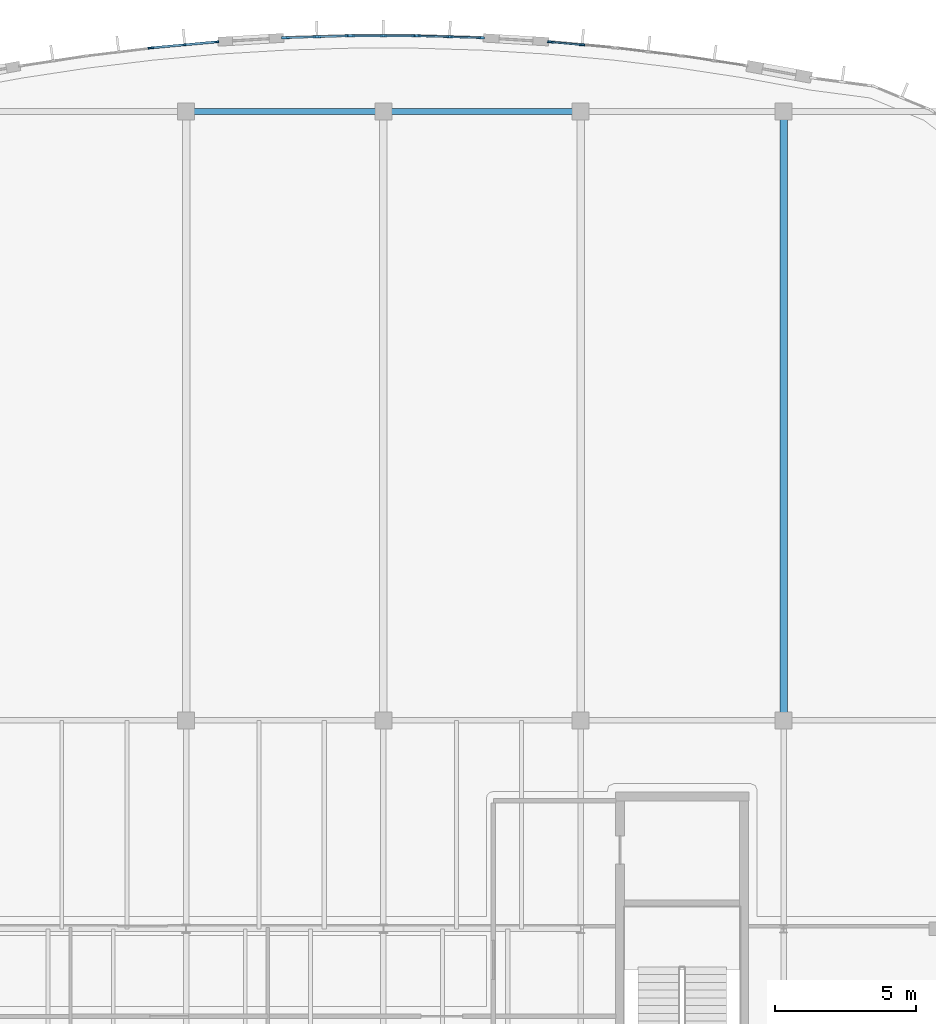
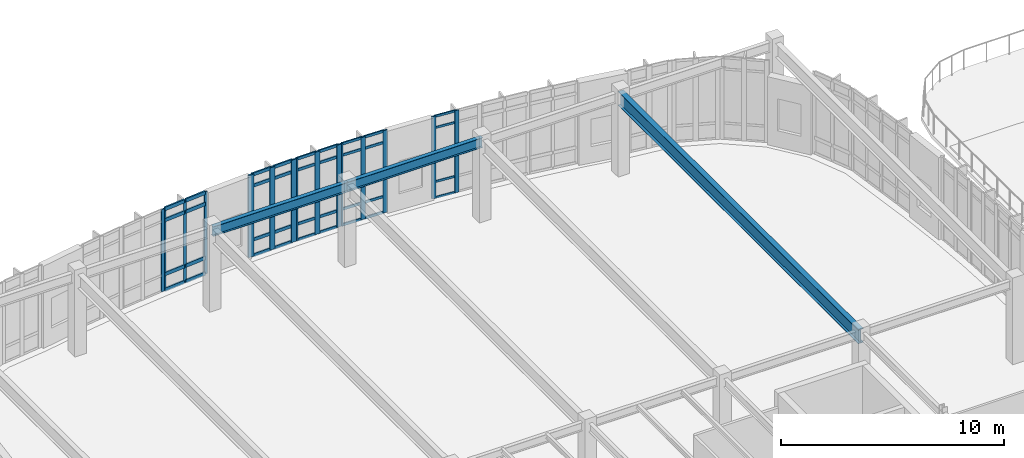
# One storey, part 47 of 120: 51 members, 3 beams, 6 elements without a shape of their own.
"""IFC4 building model written with IfcOpenShell, lengths in metres."""

from ifc_helpers import new_model, si_unit, direction, frame, origin, origin_2d, place, context, subcontext, project, spatial, rectangle, i_section, extrude, material, material_profile, profile_set, type_object, element, aggregate, save


model = new_model("IFC4")

# Units and contexts
model_context = context("Model", 3, precision=1e-05, world=origin(), true_north=direction((0.0, 1.0)))
body_context = subcontext(model_context, "Body", "Model", "MODEL_VIEW")
ifc_project = project(units=[si_unit("LENGTHUNIT", "METRE"), si_unit("AREAUNIT", "SQUARE_METRE"), si_unit("VOLUMEUNIT", "CUBIC_METRE"), si_unit("PLANEANGLEUNIT", "RADIAN"), si_unit("MASSUNIT", "GRAM", prefix="KILO")], contexts=[model_context])

# Site, building, storey
site_placement = place(None, origin())
site = spatial("IfcSite", under=ifc_project, at=site_placement, CompositionType="ELEMENT")
building_placement = place(site_placement, origin())
building = spatial("IfcBuilding", under=site, at=building_placement, Name="Corveleigh Park Community Centre", CompositionType="ELEMENT")
storey_placement = place(building_placement, origin())
storey = spatial("IfcBuildingStorey", under=building, at=storey_placement, Name="L00", CompositionType="ELEMENT", Elevation=0.0)

# Beams
ifc_material_1 = material(Name="Steel S355", Category="steel")
ifc_material_profile_1 = material_profile(ifc_material_1, i_section(OverallWidth=0.2099609375, OverallDepth=0.53662109375, WebThickness=0.0107421875, FlangeThickness=0.017333984375, at=origin_2d()), Name="UKB 533x210x101", Category="steel")
ifc_profile_set_1 = profile_set([ifc_material_profile_1], Name="Steel S355")
beam_type_1 = type_object("IfcBeamType", Name="BM-STL-UKB533x101", PredefinedType="BEAM", material=ifc_profile_set_1)
for number, where, z_axis, x_axis, name in (
    (1, (25.205078125, 114.39990234375, 4.24365234375), (1.0, 0.0, 0.0), (0.0, 1.0, 0.0), "V2 North Hall Girder"),
    (2, (32.205078125, 114.39990234375, 4.24365234375), (1.0, 0.0, 0.0), (0.0, 1.0, 0.0), "V2 North Hall Girder"),
):
    element("IfcBeam", number, at=place(storey_placement, frame(where, z_axis=z_axis, x_axis=x_axis)), inside=storey, type_object=beam_type_1, Name=name, PredefinedType="BEAM", context=body_context, shape_type="SweptSolid", body=[
        extrude(i_section(OverallWidth=0.2099609375, OverallDepth=0.53662109375, WebThickness=0.0107421875, FlangeThickness=0.017333984375, at=origin_2d()), origin(), (0.0, 0.0, 1.0), 6.989990234375),
    ])
ifc_material_profile_2 = material_profile(ifc_material_1, i_section(OverallWidth=0.2666015625, OverallDepth=0.76220703125, WebThickness=0.014404296875, FlangeThickness=0.021484375, at=origin_2d()), Name="UKB 762x267x173", Category="steel")
ifc_profile_set_2 = profile_set([ifc_material_profile_2], Name="Steel S355")
beam_type_2 = type_object("IfcBeamType", Name="BM-STL-UKB762x173", PredefinedType="BEAM", material=ifc_profile_set_2)
beam_placement = place(storey_placement, frame((46.39990234375, 92.804931640625, 4.130859375), z_axis=(0.0, 1.0, 0.0), x_axis=(-1.0, 0.0, 0.0)))
element("IfcBeam", 3, at=beam_placement, inside=storey, type_object=beam_type_2, Name="V2 Hall Floor Girder", PredefinedType="BEAM", context=body_context, shape_type="SweptSolid", body=[
    extrude(i_section(OverallWidth=0.2666015625, OverallDepth=0.76220703125, WebThickness=0.014404296875, FlangeThickness=0.021484375, at=origin_2d()), origin(), (0.0, 0.0, 1.0), 21.590087890625),
])

# Curtain wall, members
ifc_material_2 = material(Name="Anodised aluminium 6063-T6", Category="aluminium")
curtain_wall_type = type_object("IfcCurtainWallType", Name="CW-SYS-V2-L00", PredefinedType="NOTDEFINED", material=ifc_material_2)
curtain_wall_1_placement = place(storey_placement, origin())
curtain_wall_1 = element("IfcCurtainWall", 4, at=curtain_wall_1_placement, inside=storey, type_object=curtain_wall_type, Name="V2 L00 Curtain Wall 55", PredefinedType="NOTDEFINED")
ifc_material_profile_3 = material_profile(ifc_material_2, rectangle(XDim=0.06005859375, YDim=0.159912109375, at=origin_2d()), Name="ALU-M60x160", Category="aluminium")
ifc_profile_set_3 = profile_set([ifc_material_profile_3], Name="Anodised aluminium 6063-T6")
member_type_1 = type_object("IfcMemberType", Name="CWM-60x160", PredefinedType="MULLION", material=ifc_profile_set_3)
member_1_placement = place(storey_placement, frame((24.016845703125, 116.666748046875, 0.0), z_axis=(0.0, 0.0, 1.0), x_axis=(-0.090767364607, 0.995872123077, 0.0)))
member_1 = element("IfcMember", 5, at=member_1_placement, type_object=member_type_1, Name="CW03 mullion 1", PredefinedType="MULLION", context=body_context, shape_type="SweptSolid", body=[
    extrude(rectangle(XDim=0.06005859375, YDim=0.159912109375, at=origin_2d()), origin(), (0.0, 0.0, 1.0), 4.511962890625),
])
member_2_placement = place(storey_placement, frame((25.14990234375, 116.77001953125, 0.0), z_axis=(0.0, 0.0, 1.0), x_axis=(-0.090767364607, 0.995872123077, 0.0)))
member_2 = element("IfcMember", 6, at=member_2_placement, type_object=member_type_1, Name="CW03 mullion 2", PredefinedType="MULLION", context=body_context, shape_type="SweptSolid", body=[
    extrude(rectangle(XDim=0.06005859375, YDim=0.159912109375, at=origin_2d()), origin(), (0.0, 0.0, 1.0), 4.511962890625),
])
member_3_placement = place(storey_placement, frame((26.283203125, 116.873291015625, 0.0), z_axis=(0.0, 0.0, 1.0), x_axis=(-0.090767364607, 0.995872123077, 0.0)))
member_3 = element("IfcMember", 7, at=member_3_placement, type_object=member_type_1, Name="CW03 mullion 3", PredefinedType="MULLION", context=body_context, shape_type="SweptSolid", body=[
    extrude(rectangle(XDim=0.06005859375, YDim=0.159912109375, at=origin_2d()), origin(), (0.0, 0.0, 1.0), 4.511962890625),
])

# Curtain wall, member
curtain_wall_2_placement = place(storey_placement, origin())
curtain_wall_2 = element("IfcCurtainWall", 8, at=curtain_wall_2_placement, inside=storey, type_object=curtain_wall_type, Name="V2 L00 Curtain Wall 56", PredefinedType="NOTDEFINED")
ifc_material_profile_4 = material_profile(ifc_material_2, rectangle(XDim=0.06494140625, YDim=0.179931640625, at=origin_2d()), Name="ALU-M65x180", Category="aluminium")
ifc_profile_set_4 = profile_set([ifc_material_profile_4], Name="Anodised aluminium 6063-T6")
member_type_2 = type_object("IfcMemberType", Name="CWM-65x180", PredefinedType="MULLION", material=ifc_profile_set_4)
member_4_placement = place(storey_placement, frame((23.936767578125, 116.657958984375, 0.0), z_axis=(0.0, 0.0, 1.0), x_axis=(-0.120714875524, 0.992687221046, 0.0)))
member_4 = element("IfcMember", 9, at=member_4_placement, type_object=member_type_2, Name="CW03 mullion 3", PredefinedType="MULLION", context=body_context, shape_type="SweptSolid", body=[
    extrude(rectangle(XDim=0.06494140625, YDim=0.179931640625, at=origin_2d()), origin(), (0.0, 0.0, 1.0), 4.511962890625),
])
aggregate(curtain_wall_2, [member_4])

# Curtain wall, members
curtain_wall_3_placement = place(storey_placement, origin())
curtain_wall_3 = element("IfcCurtainWall", 10, at=curtain_wall_3_placement, inside=storey, type_object=curtain_wall_type, Name="V2 L00 Curtain Wall 51", PredefinedType="NOTDEFINED")
ifc_material_profile_5 = material_profile(ifc_material_2, rectangle(XDim=0.070068359375, YDim=0.199951171875, at=origin_2d()), Name="ALU-M70x200", Category="aluminium")
ifc_profile_set_5 = profile_set([ifc_material_profile_5], Name="Anodised aluminium 6063-T6")
member_type_3 = type_object("IfcMemberType", Name="CWM-70x200", PredefinedType="MULLION", material=ifc_profile_set_5)
member_5_placement = place(storey_placement, frame((38.121826171875, 116.872802734375, 0.0), z_axis=(0.0, 0.0, 1.0), x_axis=(0.090767364607, 0.995872123077, 0.0)))
member_5 = element("IfcMember", 11, at=member_5_placement, type_object=member_type_3, Name="CW03 mullion 1", PredefinedType="MULLION", context=body_context, shape_type="SweptSolid", body=[
    extrude(rectangle(XDim=0.070068359375, YDim=0.199951171875, at=origin_2d()), origin(), (0.0, 0.0, 1.0), 4.511962890625),
])
member_6_placement = place(storey_placement, frame((39.25, 116.77001953125, 0.0), z_axis=(0.0, 0.0, 1.0), x_axis=(0.090767364607, 0.995872123077, 0.0)))
member_6 = element("IfcMember", 12, at=member_6_placement, type_object=member_type_3, Name="CW03 mullion 2", PredefinedType="MULLION", context=body_context, shape_type="SweptSolid", body=[
    extrude(rectangle(XDim=0.070068359375, YDim=0.199951171875, at=origin_2d()), origin(), (0.0, 0.0, 1.0), 4.511962890625),
])

curtain_wall_4_placement = place(storey_placement, origin())
curtain_wall_4 = element("IfcCurtainWall", 13, at=curtain_wall_4_placement, inside=storey, type_object=curtain_wall_type, Name="V2 L00 Curtain Wall 52", PredefinedType="NOTDEFINED")
ifc_material_profile_6 = material_profile(ifc_material_2, rectangle(XDim=0.074951171875, YDim=0.219970703125, at=origin_2d()), Name="ALU-M75x220", Category="aluminium")
ifc_profile_set_6 = profile_set([ifc_material_profile_6], Name="Anodised aluminium 6063-T6")
member_type_4 = type_object("IfcMemberType", Name="CWM-75x220", PredefinedType="MULLION", material=ifc_profile_set_6)
member_7_placement = place(storey_placement, frame((33.423583984375, 117.0888671875, 0.0), z_axis=(0.0, 0.0, 1.0), x_axis=(0.030405814978, 0.999537636318, 0.0)))
member_7 = element("IfcMember", 14, at=member_7_placement, type_object=member_type_4, Name="CW03 mullion 1", PredefinedType="MULLION", context=body_context, shape_type="SweptSolid", body=[
    extrude(rectangle(XDim=0.074951171875, YDim=0.219970703125, at=origin_2d()), origin(), (0.0, 0.0, 1.0), 4.511962890625),
])
member_8_placement = place(storey_placement, frame((34.552978515625, 117.054443359375, 0.0), z_axis=(0.0, 0.0, 1.0), x_axis=(0.030405814978, 0.999537636318, 0.0)))
member_8 = element("IfcMember", 15, at=member_8_placement, type_object=member_type_4, Name="CW03 mullion 2", PredefinedType="MULLION", context=body_context, shape_type="SweptSolid", body=[
    extrude(rectangle(XDim=0.074951171875, YDim=0.219970703125, at=origin_2d()), origin(), (0.0, 0.0, 1.0), 4.511962890625),
])
member_9_placement = place(storey_placement, frame((35.6826171875, 117.02001953125, 0.0), z_axis=(0.0, 0.0, 1.0), x_axis=(0.030405814978, 0.999537636318, 0.0)))
member_9 = element("IfcMember", 16, at=member_9_placement, type_object=member_type_4, Name="CW03 mullion 3", PredefinedType="MULLION", context=body_context, shape_type="SweptSolid", body=[
    extrude(rectangle(XDim=0.074951171875, YDim=0.219970703125, at=origin_2d()), origin(), (0.0, 0.0, 1.0), 4.511962890625),
])

curtain_wall_5_placement = place(storey_placement, origin())
curtain_wall_5 = element("IfcCurtainWall", 17, at=curtain_wall_5_placement, inside=storey, type_object=curtain_wall_type, Name="V2 L00 Curtain Wall 53", PredefinedType="NOTDEFINED")
ifc_material_profile_7 = material_profile(ifc_material_2, rectangle(XDim=0.080078125, YDim=0.25, at=origin_2d()), Name="ALU-M80x250", Category="aluminium")
ifc_profile_set_7 = profile_set([ifc_material_profile_7], Name="Anodised aluminium 6063-T6")
member_type_5 = type_object("IfcMemberType", Name="CWM-80x250", PredefinedType="MULLION", material=ifc_profile_set_7)
member_10_placement = place(storey_placement, frame((31.072021484375, 117.090087890625, 0.0), z_axis=(0.0, 0.0, 1.0), x_axis=(0.0, 1.0, 0.0)))
member_10 = element("IfcMember", 18, at=member_10_placement, type_object=member_type_5, Name="CW03 mullion 1", PredefinedType="MULLION", context=body_context, shape_type="SweptSolid", body=[
    extrude(rectangle(XDim=0.080078125, YDim=0.25, at=origin_2d()), origin(), (0.0, 0.0, 1.0), 4.511962890625),
])
member_11_placement = place(storey_placement, frame((32.199951171875, 117.090087890625, 0.0), z_axis=(0.0, 0.0, 1.0), x_axis=(0.0, 1.0, 0.0)))
member_11 = element("IfcMember", 19, at=member_11_placement, type_object=member_type_5, Name="CW03 mullion 2", PredefinedType="MULLION", context=body_context, shape_type="SweptSolid", body=[
    extrude(rectangle(XDim=0.080078125, YDim=0.25, at=origin_2d()), origin(), (0.0, 0.0, 1.0), 4.511962890625),
])
member_12_placement = place(storey_placement, frame((33.327880859375, 117.090087890625, 0.0), z_axis=(0.0, 0.0, 1.0), x_axis=(0.0, 1.0, 0.0)))
member_12 = element("IfcMember", 20, at=member_12_placement, type_object=member_type_5, Name="CW03 mullion 3", PredefinedType="MULLION", context=body_context, shape_type="SweptSolid", body=[
    extrude(rectangle(XDim=0.080078125, YDim=0.25, at=origin_2d()), origin(), (0.0, 0.0, 1.0), 4.511962890625),
])

curtain_wall_6_placement = place(storey_placement, origin())
curtain_wall_6 = element("IfcCurtainWall", 21, at=curtain_wall_6_placement, inside=storey, type_object=curtain_wall_type, Name="V2 L00 Curtain Wall 54", PredefinedType="NOTDEFINED")
ifc_material_profile_8 = material_profile(ifc_material_2, rectangle(XDim=0.0849609375, YDim=0.27490234375, at=origin_2d()), Name="ALU-M85x275", Category="aluminium")
ifc_profile_set_8 = profile_set([ifc_material_profile_8], Name="Anodised aluminium 6063-T6")
member_type_6 = type_object("IfcMemberType", Name="CWM-85x275", PredefinedType="MULLION", material=ifc_profile_set_8)
member_13_placement = place(storey_placement, frame((28.722412109375, 117.020263671875, 0.0), z_axis=(0.0, 0.0, 1.0), x_axis=(-0.030405814978, 0.999537636318, 0.0)))
member_13 = element("IfcMember", 22, at=member_13_placement, type_object=member_type_6, Name="CW03 mullion 1", PredefinedType="MULLION", context=body_context, shape_type="SweptSolid", body=[
    extrude(rectangle(XDim=0.0849609375, YDim=0.27490234375, at=origin_2d()), origin(), (0.0, 0.0, 1.0), 4.511962890625),
])
member_14_placement = place(storey_placement, frame((29.846923828125, 117.054443359375, 0.0), z_axis=(0.0, 0.0, 1.0), x_axis=(-0.030405814978, 0.999537636318, 0.0)))
member_14 = element("IfcMember", 23, at=member_14_placement, type_object=member_type_6, Name="CW03 mullion 2", PredefinedType="MULLION", context=body_context, shape_type="SweptSolid", body=[
    extrude(rectangle(XDim=0.0849609375, YDim=0.27490234375, at=origin_2d()), origin(), (0.0, 0.0, 1.0), 4.511962890625),
])
member_15_placement = place(storey_placement, frame((30.971435546875, 117.088623046875, 0.0), z_axis=(0.0, 0.0, 1.0), x_axis=(-0.030405814978, 0.999537636318, 0.0)))
member_15 = element("IfcMember", 24, at=member_15_placement, type_object=member_type_6, Name="CW03 mullion 3", PredefinedType="MULLION", context=body_context, shape_type="SweptSolid", body=[
    extrude(rectangle(XDim=0.0849609375, YDim=0.27490234375, at=origin_2d()), origin(), (0.0, 0.0, 1.0), 4.511962890625),
])

# Member
ifc_material_profile_9 = material_profile(ifc_material_2, rectangle(XDim=0.06005859375, YDim=0.1201171875, at=origin_2d()), Name="ALU-T60x120", Category="aluminium")
ifc_profile_set_9 = profile_set([ifc_material_profile_9], Name="Anodised aluminium 6063-T6")
member_type_7 = type_object("IfcMemberType", Name="CWT-60x120", PredefinedType="USERDEFINED", material=ifc_profile_set_9)
member_16_placement = place(storey_placement, frame((38.15673828125, 116.86962890625, 0.030029296875), z_axis=(0.995874354698, -0.09074287661, 0.0), x_axis=(0.09074287661, 0.995874354698, 0.0)))
member_16 = element("IfcMember", 25, at=member_16_placement, type_object=member_type_7, Name="CW03 transom 1.1", ObjectType="TRANSOM", PredefinedType="USERDEFINED", context=body_context, shape_type="SweptSolid", body=[
    extrude(rectangle(XDim=0.06005859375, YDim=0.1201171875, at=origin_2d()), origin(), (0.0, 0.0, 1.0), 1.062744140625),
])

member_17_placement = place(storey_placement, frame((38.15673828125, 116.86962890625, 0.89990234375), z_axis=(0.995874354698, -0.09074287661, 0.0), x_axis=(0.09074287661, 0.995874354698, 0.0)))
member_17 = element("IfcMember", 26, at=member_17_placement, type_object=member_type_7, Name="CW03 transom 1.2", ObjectType="TRANSOM", PredefinedType="USERDEFINED", context=body_context, shape_type="SweptSolid", body=[
    extrude(rectangle(XDim=0.06005859375, YDim=0.1201171875, at=origin_2d()), origin(), (0.0, 0.0, 1.0), 1.062744140625),
])

member_18_placement = place(storey_placement, frame((38.15673828125, 116.86962890625, 3.862060546875), z_axis=(0.995874354698, -0.09074287661, 0.0), x_axis=(0.09074287661, 0.995874354698, 0.0)))
member_18 = element("IfcMember", 27, at=member_18_placement, type_object=member_type_7, Name="CW03 transom 1.3", ObjectType="TRANSOM", PredefinedType="USERDEFINED", context=body_context, shape_type="SweptSolid", body=[
    extrude(rectangle(XDim=0.06005859375, YDim=0.1201171875, at=origin_2d()), origin(), (0.0, 0.0, 1.0), 1.062744140625),
])

member_19_placement = place(storey_placement, frame((38.15673828125, 116.86962890625, 4.48193359375), z_axis=(0.995874354698, -0.09074287661, 0.0), x_axis=(0.09074287661, 0.995874354698, 0.0)))
member_19 = element("IfcMember", 28, at=member_19_placement, type_object=member_type_7, Name="CW03 transom 1.4", ObjectType="TRANSOM", PredefinedType="USERDEFINED", context=body_context, shape_type="SweptSolid", body=[
    extrude(rectangle(XDim=0.06005859375, YDim=0.1201171875, at=origin_2d()), origin(), (0.0, 0.0, 1.0), 1.062744140625),
])

aggregate(curtain_wall_3, [member_5, member_6, member_16, member_17, member_18, member_19])

ifc_material_profile_10 = material_profile(ifc_material_2, rectangle(XDim=0.06494140625, YDim=0.139892578125, at=origin_2d()), Name="ALU-T65x140", Category="aluminium")
ifc_profile_set_10 = profile_set([ifc_material_profile_10], Name="Anodised aluminium 6063-T6")
member_type_8 = type_object("IfcMemberType", Name="CWT-65x140", PredefinedType="USERDEFINED", material=ifc_profile_set_10)
member_20_placement = place(storey_placement, frame((33.4609375, 117.087646484375, 0.032470703125), z_axis=(0.999540542112, -0.030310141439, 0.0), x_axis=(0.030310141439, 0.999540542112, 0.0)))
member_20 = element("IfcMember", 29, at=member_20_placement, type_object=member_type_8, Name="CW03 transom 1.1", ObjectType="TRANSOM", PredefinedType="USERDEFINED", context=body_context, shape_type="SweptSolid", body=[
    extrude(rectangle(XDim=0.06494140625, YDim=0.139892578125, at=origin_2d()), origin(), (0.0, 0.0, 1.0), 1.05517578125),
])

member_21_placement = place(storey_placement, frame((33.4609375, 117.087646484375, 0.89990234375), z_axis=(0.999540542112, -0.030310141439, 0.0), x_axis=(0.030310141439, 0.999540542112, 0.0)))
member_21 = element("IfcMember", 30, at=member_21_placement, type_object=member_type_8, Name="CW03 transom 1.2", ObjectType="TRANSOM", PredefinedType="USERDEFINED", context=body_context, shape_type="SweptSolid", body=[
    extrude(rectangle(XDim=0.06494140625, YDim=0.139892578125, at=origin_2d()), origin(), (0.0, 0.0, 1.0), 1.05517578125),
])

member_22_placement = place(storey_placement, frame((33.4609375, 117.087646484375, 3.862060546875), z_axis=(0.999540542112, -0.030310141439, 0.0), x_axis=(0.030310141439, 0.999540542112, 0.0)))
member_22 = element("IfcMember", 31, at=member_22_placement, type_object=member_type_8, Name="CW03 transom 1.3", ObjectType="TRANSOM", PredefinedType="USERDEFINED", context=body_context, shape_type="SweptSolid", body=[
    extrude(rectangle(XDim=0.06494140625, YDim=0.139892578125, at=origin_2d()), origin(), (0.0, 0.0, 1.0), 1.05517578125),
])

member_23_placement = place(storey_placement, frame((33.4609375, 117.087646484375, 4.4794921875), z_axis=(0.999540542112, -0.030310141439, 0.0), x_axis=(0.030310141439, 0.999540542112, 0.0)))
member_23 = element("IfcMember", 32, at=member_23_placement, type_object=member_type_8, Name="CW03 transom 1.4", ObjectType="TRANSOM", PredefinedType="USERDEFINED", context=body_context, shape_type="SweptSolid", body=[
    extrude(rectangle(XDim=0.06494140625, YDim=0.139892578125, at=origin_2d()), origin(), (0.0, 0.0, 1.0), 1.05517578125),
])

member_24_placement = place(storey_placement, frame((34.590576171875, 117.053466796875, 0.032470703125), z_axis=(0.999533289748, -0.030548366346, 0.0), x_axis=(0.030548366346, 0.999533289748, 0.0)))
member_24 = element("IfcMember", 33, at=member_24_placement, type_object=member_type_8, Name="CW03 transom 2.1", ObjectType="TRANSOM", PredefinedType="USERDEFINED", context=body_context, shape_type="SweptSolid", body=[
    extrude(rectangle(XDim=0.06494140625, YDim=0.139892578125, at=origin_2d()), origin(), (0.0, 0.0, 1.0), 1.054931640625),
])

member_25_placement = place(storey_placement, frame((34.590576171875, 117.053466796875, 0.89990234375), z_axis=(0.999533289748, -0.030548366346, 0.0), x_axis=(0.030548366346, 0.999533289748, 0.0)))
member_25 = element("IfcMember", 34, at=member_25_placement, type_object=member_type_8, Name="CW03 transom 2.2", ObjectType="TRANSOM", PredefinedType="USERDEFINED", context=body_context, shape_type="SweptSolid", body=[
    extrude(rectangle(XDim=0.06494140625, YDim=0.139892578125, at=origin_2d()), origin(), (0.0, 0.0, 1.0), 1.054931640625),
])

member_26_placement = place(storey_placement, frame((34.590576171875, 117.053466796875, 3.862060546875), z_axis=(0.999533289748, -0.030548366346, 0.0), x_axis=(0.030548366346, 0.999533289748, 0.0)))
member_26 = element("IfcMember", 35, at=member_26_placement, type_object=member_type_8, Name="CW03 transom 2.3", ObjectType="TRANSOM", PredefinedType="USERDEFINED", context=body_context, shape_type="SweptSolid", body=[
    extrude(rectangle(XDim=0.06494140625, YDim=0.139892578125, at=origin_2d()), origin(), (0.0, 0.0, 1.0), 1.054931640625),
])

member_27_placement = place(storey_placement, frame((34.590576171875, 117.053466796875, 4.4794921875), z_axis=(0.999533289748, -0.030548366346, 0.0), x_axis=(0.030548366346, 0.999533289748, 0.0)))
member_27 = element("IfcMember", 36, at=member_27_placement, type_object=member_type_8, Name="CW03 transom 2.4", ObjectType="TRANSOM", PredefinedType="USERDEFINED", context=body_context, shape_type="SweptSolid", body=[
    extrude(rectangle(XDim=0.06494140625, YDim=0.139892578125, at=origin_2d()), origin(), (0.0, 0.0, 1.0), 1.054931640625),
])

aggregate(curtain_wall_4, [member_7, member_8, member_9, member_20, member_21, member_22, member_23, member_24, member_25, member_26, member_27])

ifc_material_profile_11 = material_profile(ifc_material_2, rectangle(XDim=0.070068359375, YDim=0.155029296875, at=origin_2d()), Name="ALU-T70x155", Category="aluminium")
ifc_profile_set_11 = profile_set([ifc_material_profile_11], Name="Anodised aluminium 6063-T6")
member_type_9 = type_object("IfcMemberType", Name="CWT-70x155", PredefinedType="USERDEFINED", material=ifc_profile_set_11)
member_28_placement = place(storey_placement, frame((31.112060546875, 117.090087890625, 0.034912109375), z_axis=(1.0, 0.0, 0.0), x_axis=(0.0, 1.0, 0.0)))
member_28 = element("IfcMember", 37, at=member_28_placement, type_object=member_type_9, Name="CW03 transom 1.1", ObjectType="TRANSOM", PredefinedType="USERDEFINED", context=body_context, shape_type="SweptSolid", body=[
    extrude(rectangle(XDim=0.070068359375, YDim=0.155029296875, at=origin_2d()), origin(), (0.0, 0.0, 1.0), 1.0478515625),
])

member_29_placement = place(storey_placement, frame((31.112060546875, 117.090087890625, 0.89990234375), z_axis=(1.0, 0.0, 0.0), x_axis=(0.0, 1.0, 0.0)))
member_29 = element("IfcMember", 38, at=member_29_placement, type_object=member_type_9, Name="CW03 transom 1.2", ObjectType="TRANSOM", PredefinedType="USERDEFINED", context=body_context, shape_type="SweptSolid", body=[
    extrude(rectangle(XDim=0.070068359375, YDim=0.155029296875, at=origin_2d()), origin(), (0.0, 0.0, 1.0), 1.0478515625),
])

member_30_placement = place(storey_placement, frame((31.112060546875, 117.090087890625, 3.862060546875), z_axis=(1.0, 0.0, 0.0), x_axis=(0.0, 1.0, 0.0)))
member_30 = element("IfcMember", 39, at=member_30_placement, type_object=member_type_9, Name="CW03 transom 1.3", ObjectType="TRANSOM", PredefinedType="USERDEFINED", context=body_context, shape_type="SweptSolid", body=[
    extrude(rectangle(XDim=0.070068359375, YDim=0.155029296875, at=origin_2d()), origin(), (0.0, 0.0, 1.0), 1.0478515625),
])

member_31_placement = place(storey_placement, frame((31.112060546875, 117.090087890625, 4.47705078125), z_axis=(1.0, 0.0, 0.0), x_axis=(0.0, 1.0, 0.0)))
member_31 = element("IfcMember", 40, at=member_31_placement, type_object=member_type_9, Name="CW03 transom 1.4", ObjectType="TRANSOM", PredefinedType="USERDEFINED", context=body_context, shape_type="SweptSolid", body=[
    extrude(rectangle(XDim=0.070068359375, YDim=0.155029296875, at=origin_2d()), origin(), (0.0, 0.0, 1.0), 1.0478515625),
])

member_32_placement = place(storey_placement, frame((32.239990234375, 117.090087890625, 0.034912109375), z_axis=(1.0, 0.0, 0.0), x_axis=(0.0, 1.0, 0.0)))
member_32 = element("IfcMember", 41, at=member_32_placement, type_object=member_type_9, Name="CW03 transom 2.1", ObjectType="TRANSOM", PredefinedType="USERDEFINED", context=body_context, shape_type="SweptSolid", body=[
    extrude(rectangle(XDim=0.070068359375, YDim=0.155029296875, at=origin_2d()), origin(), (0.0, 0.0, 1.0), 1.048095703125),
])

member_33_placement = place(storey_placement, frame((32.239990234375, 117.090087890625, 0.89990234375), z_axis=(1.0, 0.0, 0.0), x_axis=(0.0, 1.0, 0.0)))
member_33 = element("IfcMember", 42, at=member_33_placement, type_object=member_type_9, Name="CW03 transom 2.2", ObjectType="TRANSOM", PredefinedType="USERDEFINED", context=body_context, shape_type="SweptSolid", body=[
    extrude(rectangle(XDim=0.070068359375, YDim=0.155029296875, at=origin_2d()), origin(), (0.0, 0.0, 1.0), 1.048095703125),
])

member_34_placement = place(storey_placement, frame((32.239990234375, 117.090087890625, 3.862060546875), z_axis=(1.0, 0.0, 0.0), x_axis=(0.0, 1.0, 0.0)))
member_34 = element("IfcMember", 43, at=member_34_placement, type_object=member_type_9, Name="CW03 transom 2.3", ObjectType="TRANSOM", PredefinedType="USERDEFINED", context=body_context, shape_type="SweptSolid", body=[
    extrude(rectangle(XDim=0.070068359375, YDim=0.155029296875, at=origin_2d()), origin(), (0.0, 0.0, 1.0), 1.048095703125),
])

member_35_placement = place(storey_placement, frame((32.239990234375, 117.090087890625, 4.47705078125), z_axis=(1.0, 0.0, 0.0), x_axis=(0.0, 1.0, 0.0)))
member_35 = element("IfcMember", 44, at=member_35_placement, type_object=member_type_9, Name="CW03 transom 2.4", ObjectType="TRANSOM", PredefinedType="USERDEFINED", context=body_context, shape_type="SweptSolid", body=[
    extrude(rectangle(XDim=0.070068359375, YDim=0.155029296875, at=origin_2d()), origin(), (0.0, 0.0, 1.0), 1.048095703125),
])

aggregate(curtain_wall_5, [member_10, member_11, member_12, member_28, member_29, member_30, member_31, member_32, member_33, member_34, member_35])

ifc_material_profile_12 = material_profile(ifc_material_2, rectangle(XDim=0.074951171875, YDim=0.175048828125, at=origin_2d()), Name="ALU-T75x175", Category="aluminium")
ifc_profile_set_12 = profile_set([ifc_material_profile_12], Name="Anodised aluminium 6063-T6")
member_type_10 = type_object("IfcMemberType", Name="CWT-75x175", PredefinedType="USERDEFINED", material=ifc_profile_set_12)
member_36_placement = place(storey_placement, frame((28.764892578125, 117.021484375, 0.03759765625), z_axis=(0.999534261746, 0.030516546272, 0.0), x_axis=(-0.030516546272, 0.999534261746, 0.0)))
member_36 = element("IfcMember", 45, at=member_36_placement, type_object=member_type_10, Name="CW03 transom 1.1", ObjectType="TRANSOM", PredefinedType="USERDEFINED", context=body_context, shape_type="SweptSolid", body=[
    extrude(rectangle(XDim=0.074951171875, YDim=0.175048828125, at=origin_2d()), origin(), (0.0, 0.0, 1.0), 1.0400390625),
])

member_37_placement = place(storey_placement, frame((28.764892578125, 117.021484375, 0.89990234375), z_axis=(0.999534261746, 0.030516546272, 0.0), x_axis=(-0.030516546272, 0.999534261746, 0.0)))
member_37 = element("IfcMember", 46, at=member_37_placement, type_object=member_type_10, Name="CW03 transom 1.2", ObjectType="TRANSOM", PredefinedType="USERDEFINED", context=body_context, shape_type="SweptSolid", body=[
    extrude(rectangle(XDim=0.074951171875, YDim=0.175048828125, at=origin_2d()), origin(), (0.0, 0.0, 1.0), 1.0400390625),
])

member_38_placement = place(storey_placement, frame((28.764892578125, 117.021484375, 3.862060546875), z_axis=(0.999534261746, 0.030516546272, 0.0), x_axis=(-0.030516546272, 0.999534261746, 0.0)))
member_38 = element("IfcMember", 47, at=member_38_placement, type_object=member_type_10, Name="CW03 transom 1.3", ObjectType="TRANSOM", PredefinedType="USERDEFINED", context=body_context, shape_type="SweptSolid", body=[
    extrude(rectangle(XDim=0.074951171875, YDim=0.175048828125, at=origin_2d()), origin(), (0.0, 0.0, 1.0), 1.0400390625),
])

member_39_placement = place(storey_placement, frame((28.764892578125, 117.021484375, 4.474609375), z_axis=(0.999534261746, 0.030516546272, 0.0), x_axis=(-0.030516546272, 0.999534261746, 0.0)))
member_39 = element("IfcMember", 48, at=member_39_placement, type_object=member_type_10, Name="CW03 transom 1.4", ObjectType="TRANSOM", PredefinedType="USERDEFINED", context=body_context, shape_type="SweptSolid", body=[
    extrude(rectangle(XDim=0.074951171875, YDim=0.175048828125, at=origin_2d()), origin(), (0.0, 0.0, 1.0), 1.0400390625),
])

member_40_placement = place(storey_placement, frame((29.889404296875, 117.055908203125, 0.03759765625), z_axis=(0.999541394482, 0.030282019701, 0.0), x_axis=(-0.030282019701, 0.999541394482, 0.0)))
member_40 = element("IfcMember", 49, at=member_40_placement, type_object=member_type_10, Name="CW03 transom 2.1", ObjectType="TRANSOM", PredefinedType="USERDEFINED", context=body_context, shape_type="SweptSolid", body=[
    extrude(rectangle(XDim=0.074951171875, YDim=0.175048828125, at=origin_2d()), origin(), (0.0, 0.0, 1.0), 1.0400390625),
])

member_41_placement = place(storey_placement, frame((29.889404296875, 117.055908203125, 0.89990234375), z_axis=(0.999541394482, 0.030282019701, 0.0), x_axis=(-0.030282019701, 0.999541394482, 0.0)))
member_41 = element("IfcMember", 50, at=member_41_placement, type_object=member_type_10, Name="CW03 transom 2.2", ObjectType="TRANSOM", PredefinedType="USERDEFINED", context=body_context, shape_type="SweptSolid", body=[
    extrude(rectangle(XDim=0.074951171875, YDim=0.175048828125, at=origin_2d()), origin(), (0.0, 0.0, 1.0), 1.0400390625),
])

member_42_placement = place(storey_placement, frame((29.889404296875, 117.055908203125, 3.862060546875), z_axis=(0.999541394482, 0.030282019701, 0.0), x_axis=(-0.030282019701, 0.999541394482, 0.0)))
member_42 = element("IfcMember", 51, at=member_42_placement, type_object=member_type_10, Name="CW03 transom 2.3", ObjectType="TRANSOM", PredefinedType="USERDEFINED", context=body_context, shape_type="SweptSolid", body=[
    extrude(rectangle(XDim=0.074951171875, YDim=0.175048828125, at=origin_2d()), origin(), (0.0, 0.0, 1.0), 1.0400390625),
])

member_43_placement = place(storey_placement, frame((29.889404296875, 117.055908203125, 4.474609375), z_axis=(0.999541394482, 0.030282019701, 0.0), x_axis=(-0.030282019701, 0.999541394482, 0.0)))
member_43 = element("IfcMember", 52, at=member_43_placement, type_object=member_type_10, Name="CW03 transom 2.4", ObjectType="TRANSOM", PredefinedType="USERDEFINED", context=body_context, shape_type="SweptSolid", body=[
    extrude(rectangle(XDim=0.074951171875, YDim=0.175048828125, at=origin_2d()), origin(), (0.0, 0.0, 1.0), 1.0400390625),
])

aggregate(curtain_wall_6, [member_13, member_14, member_15, member_36, member_37, member_38, member_39, member_40, member_41, member_42, member_43])

ifc_material_profile_13 = material_profile(ifc_material_2, rectangle(XDim=0.080078125, YDim=0.195068359375, at=origin_2d()), Name="ALU-T80x195", Category="aluminium")
ifc_profile_set_13 = profile_set([ifc_material_profile_13], Name="Anodised aluminium 6063-T6")
member_type_11 = type_object("IfcMemberType", Name="CWT-80x195", PredefinedType="USERDEFINED", material=ifc_profile_set_13)
member_44_placement = place(storey_placement, frame((24.046630859375, 116.66943359375, 0.0400390625), z_axis=(0.99586717502, 0.090821636839, 0.0), x_axis=(-0.090821636839, 0.99586717502, 0.0)))
member_44 = element("IfcMember", 53, at=member_44_placement, type_object=member_type_11, Name="CW03 transom 1.1", ObjectType="TRANSOM", PredefinedType="USERDEFINED", context=body_context, shape_type="SweptSolid", body=[
    extrude(rectangle(XDim=0.080078125, YDim=0.195068359375, at=origin_2d()), origin(), (0.0, 0.0, 1.0), 1.077880859375),
])

member_45_placement = place(storey_placement, frame((24.046630859375, 116.66943359375, 0.89990234375), z_axis=(0.99586717502, 0.090821636839, 0.0), x_axis=(-0.090821636839, 0.99586717502, 0.0)))
member_45 = element("IfcMember", 54, at=member_45_placement, type_object=member_type_11, Name="CW03 transom 1.2", ObjectType="TRANSOM", PredefinedType="USERDEFINED", context=body_context, shape_type="SweptSolid", body=[
    extrude(rectangle(XDim=0.080078125, YDim=0.195068359375, at=origin_2d()), origin(), (0.0, 0.0, 1.0), 1.077880859375),
])

member_46_placement = place(storey_placement, frame((24.046630859375, 116.66943359375, 3.862060546875), z_axis=(0.99586717502, 0.090821636839, 0.0), x_axis=(-0.090821636839, 0.99586717502, 0.0)))
member_46 = element("IfcMember", 55, at=member_46_placement, type_object=member_type_11, Name="CW03 transom 1.3", ObjectType="TRANSOM", PredefinedType="USERDEFINED", context=body_context, shape_type="SweptSolid", body=[
    extrude(rectangle(XDim=0.080078125, YDim=0.195068359375, at=origin_2d()), origin(), (0.0, 0.0, 1.0), 1.077880859375),
])

member_47_placement = place(storey_placement, frame((24.046630859375, 116.66943359375, 4.471923828125), z_axis=(0.99586717502, 0.090821636839, 0.0), x_axis=(-0.090821636839, 0.99586717502, 0.0)))
member_47 = element("IfcMember", 56, at=member_47_placement, type_object=member_type_11, Name="CW03 transom 1.4", ObjectType="TRANSOM", PredefinedType="USERDEFINED", context=body_context, shape_type="SweptSolid", body=[
    extrude(rectangle(XDim=0.080078125, YDim=0.195068359375, at=origin_2d()), origin(), (0.0, 0.0, 1.0), 1.077880859375),
])

member_48_placement = place(storey_placement, frame((25.179931640625, 116.772705078125, 0.0400390625), z_axis=(0.995865306186, 0.090842126429, 0.0), x_axis=(-0.090842126429, 0.995865306186, 0.0)))
member_48 = element("IfcMember", 57, at=member_48_placement, type_object=member_type_11, Name="CW03 transom 2.1", ObjectType="TRANSOM", PredefinedType="USERDEFINED", context=body_context, shape_type="SweptSolid", body=[
    extrude(rectangle(XDim=0.080078125, YDim=0.195068359375, at=origin_2d()), origin(), (0.0, 0.0, 1.0), 1.07763671875),
])

member_49_placement = place(storey_placement, frame((25.179931640625, 116.772705078125, 0.89990234375), z_axis=(0.995865306186, 0.090842126429, 0.0), x_axis=(-0.090842126429, 0.995865306186, 0.0)))
member_49 = element("IfcMember", 58, at=member_49_placement, type_object=member_type_11, Name="CW03 transom 2.2", ObjectType="TRANSOM", PredefinedType="USERDEFINED", context=body_context, shape_type="SweptSolid", body=[
    extrude(rectangle(XDim=0.080078125, YDim=0.195068359375, at=origin_2d()), origin(), (0.0, 0.0, 1.0), 1.07763671875),
])

member_50_placement = place(storey_placement, frame((25.179931640625, 116.772705078125, 3.862060546875), z_axis=(0.995865306186, 0.090842126429, 0.0), x_axis=(-0.090842126429, 0.995865306186, 0.0)))
member_50 = element("IfcMember", 59, at=member_50_placement, type_object=member_type_11, Name="CW03 transom 2.3", ObjectType="TRANSOM", PredefinedType="USERDEFINED", context=body_context, shape_type="SweptSolid", body=[
    extrude(rectangle(XDim=0.080078125, YDim=0.195068359375, at=origin_2d()), origin(), (0.0, 0.0, 1.0), 1.07763671875),
])

member_51_placement = place(storey_placement, frame((25.179931640625, 116.772705078125, 4.471923828125), z_axis=(0.995865306186, 0.090842126429, 0.0), x_axis=(-0.090842126429, 0.995865306186, 0.0)))
member_51 = element("IfcMember", 60, at=member_51_placement, type_object=member_type_11, Name="CW03 transom 2.4", ObjectType="TRANSOM", PredefinedType="USERDEFINED", context=body_context, shape_type="SweptSolid", body=[
    extrude(rectangle(XDim=0.080078125, YDim=0.195068359375, at=origin_2d()), origin(), (0.0, 0.0, 1.0), 1.07763671875),
])

aggregate(curtain_wall_1, [member_1, member_2, member_3, member_44, member_45, member_46, member_47, member_48, member_49, member_50, member_51])

save(model, "model.ifc")
